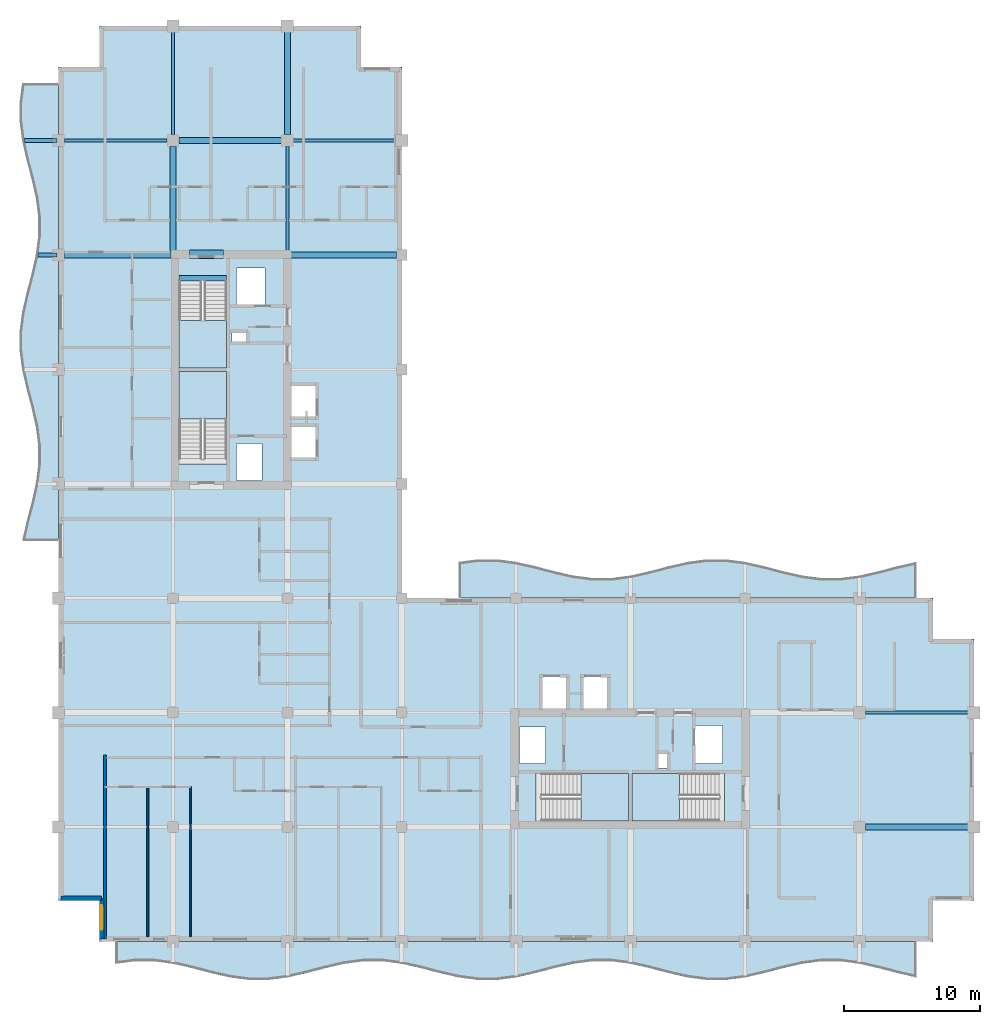
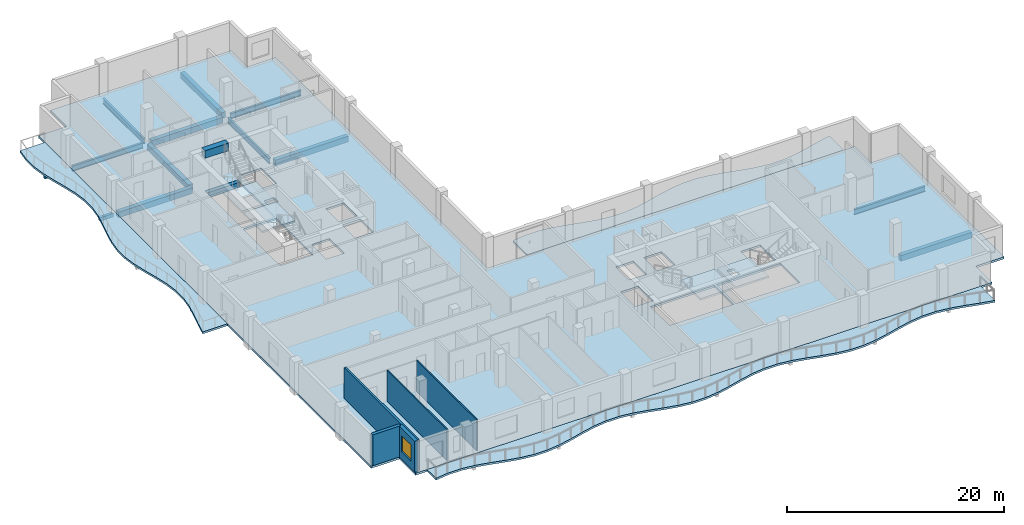
# One storey, part 2 of 12: 15 beams, 8 slabs, 5 walls, 1 window, 1 opening, 4 elements without a shape of their own.
"""IFC4 building model written with IfcOpenShell, lengths in metres."""

from ifc_helpers import new_model, si_unit, direction, frame, frame_2d, origin, origin_2d, place, context, subcontext, project, spatial, polyline, rectangle, i_section, outline, extrude, material, layer, layer_set, material_profile, profile_set, type_object, element, fill, aggregate, save


model = new_model("IFC4")

# Units and contexts
model_context = context("Model", 3, precision=1e-05, world=origin(), true_north=direction((0.0, 1.0)))
body_context = subcontext(model_context, "Body", "Model", "MODEL_VIEW")
ifc_project = project(units=[si_unit("LENGTHUNIT", "METRE"), si_unit("AREAUNIT", "SQUARE_METRE"), si_unit("VOLUMEUNIT", "CUBIC_METRE"), si_unit("PLANEANGLEUNIT", "RADIAN"), si_unit("MASSUNIT", "GRAM", prefix="KILO")], contexts=[model_context])

# Site, building, storey
site_placement = place(None, origin())
site = spatial("IfcSite", under=ifc_project, at=site_placement, CompositionType="ELEMENT")
building_placement = place(site_placement, origin())
building = spatial("IfcBuilding", under=site, at=building_placement, Name="Koriwani Terraces Tower", CompositionType="ELEMENT")
storey_placement = place(building_placement, frame((0.0, 0.0, 256.39990234375)))
storey = spatial("IfcBuildingStorey", under=building, at=storey_placement, Name="L63", CompositionType="ELEMENT", Elevation=256.39990234375)

# Beams
ifc_material_1 = material(Name="Concrete C40/50", Category="concrete")
ifc_material_profile_1 = material_profile(ifc_material_1, rectangle(XDim=0.300048828125, YDim=0.39990234375, at=origin_2d()), Name="Concrete C40/50", Category="LoadBearing")
ifc_profile_set_1 = profile_set([ifc_material_profile_1], Name="Concrete C40/50")
beam_type_1 = type_object("IfcBeamType", Name="BEAM_RC_BALCONY_RIB_300X400", PredefinedType="JOIST", material=ifc_profile_set_1)
beam_1_placement = place(storey_placement, frame((6.912109375, 58.800048828125, -0.429931640625), z_axis=(1.0, 0.0, 0.0), x_axis=(0.0, 1.0, 0.0)))
element("IfcBeam", 1, at=beam_1_placement, inside=storey, type_object=beam_type_1, Name="L63 Balcony Bracket Rib W-3", PredefinedType="JOIST", context=body_context, shape_type="SweptSolid", body=[
    extrude(rectangle(XDim=0.300048828125, YDim=0.39990234375, at=origin_2d()), origin(), (0.0, 0.0, 1.0), 1.387939453125),
])
beam_2_placement = place(storey_placement, frame((5.907958984375, 67.199951171875, -0.429931640625), z_axis=(1.0, 0.0, 0.0), x_axis=(0.0, 1.0, 0.0)))
element("IfcBeam", 2, at=beam_2_placement, inside=storey, type_object=beam_type_1, Name="L63 Balcony Bracket Rib W-4", PredefinedType="JOIST", context=body_context, shape_type="SweptSolid", body=[
    extrude(rectangle(XDim=0.300048828125, YDim=0.39990234375, at=origin_2d()), origin(), (0.0, 0.0, 1.0), 2.39208984375),
])
ifc_material_2 = material(Name="Concrete C50/60", Category="concrete")
ifc_material_profile_2 = material_profile(ifc_material_2, rectangle(XDim=0.60009765625, YDim=0.85009765625, at=origin_2d()), Name="Concrete C50/60", Category="LoadBearing")
ifc_profile_set_2 = profile_set([ifc_material_profile_2], Name="Concrete C50/60")
beam_type_2 = type_object("IfcBeamType", Name="BEAM_RC_COUPLING_600X850", PredefinedType="LINTEL", material=ifc_profile_set_2)
beam_3_placement = place(storey_placement, frame((18.0, 58.85009765625, 3.045166015625), z_axis=(1.0, 0.0, 0.0), x_axis=(0.0, 1.0, 0.0)))
element("IfcBeam", 3, at=beam_3_placement, inside=storey, type_object=beam_type_2, Name="L63 Core Coupling Lintel Beam WN", PredefinedType="LINTEL", context=body_context, shape_type="SweptSolid", body=[
    extrude(rectangle(XDim=0.60009765625, YDim=0.85009765625, at=origin_2d()), origin(), (0.0, 0.0, 1.0), 2.5),
])
ifc_material_profile_3 = material_profile(ifc_material_1, rectangle(XDim=0.39990234375, YDim=0.60009765625, at=origin_2d()), Name="Concrete C40/50", Category="LoadBearing")
ifc_profile_set_3 = profile_set([ifc_material_profile_3], Name="Concrete C40/50")
beam_type_3 = type_object("IfcBeamType", Name="BEAM_RC_GRID_400X600", PredefinedType="BEAM", material=ifc_profile_set_3)
beam_4_placement = place(storey_placement, frame((17.25, 57.094970703125, -0.2998046875), z_axis=(1.0, 0.0, 0.0), x_axis=(0.0, 1.0, 0.0)))
element("IfcBeam", 4, at=beam_4_placement, inside=storey, type_object=beam_type_3, Name="L63 Stairwell Header Trimmer Beam ST-W2", PredefinedType="BEAM", context=body_context, shape_type="SweptSolid", body=[
    extrude(rectangle(XDim=0.39990234375, YDim=0.60009765625, at=origin_2d()), origin(), (0.0, 0.0, 1.0), 3.5),
])
ifc_material_profile_4 = material_profile(ifc_material_2, rectangle(XDim=0.449951171875, YDim=0.64990234375, at=origin_2d()), Name="Concrete C50/60", Category="LoadBearing")
ifc_profile_set_4 = profile_set([ifc_material_profile_4], Name="Concrete C50/60")
beam_type_4 = type_object("IfcBeamType", Name="BEAM_RC_GRID_450X650", PredefinedType="BEAM", material=ifc_profile_set_4)
beam_5_placement = place(storey_placement, frame((67.6298828125, 16.800048828125, -0.554931640625), z_axis=(1.0, 0.0, 0.0), x_axis=(0.0, 1.0, 0.0)))
element("IfcBeam", 5, at=beam_5_placement, inside=storey, type_object=beam_type_4, Name="L63 Grid Beam C (67.2-75.6m)", PredefinedType="BEAM", context=body_context, shape_type="SweptSolid", body=[
    extrude(rectangle(XDim=0.449951171875, YDim=0.64990234375, at=origin_2d()), origin(), (0.0, 0.0, 1.0), 7.5400390625),
])
beam_6_placement = place(storey_placement, frame((8.830078125, 58.800048828125, -0.554931640625), z_axis=(1.0, 0.0, 0.0), x_axis=(0.0, 1.0, 0.0)))
element("IfcBeam", 6, at=beam_6_placement, inside=storey, type_object=beam_type_4, Name="L63 Grid Beam H (8.4-16.8m)", PredefinedType="BEAM", context=body_context, shape_type="SweptSolid", body=[
    extrude(rectangle(XDim=0.449951171875, YDim=0.64990234375, at=origin_2d()), origin(), (0.0, 0.0, 1.0), 7.83984375),
])
beam_7_placement = place(storey_placement, frame((25.47998046875, 58.800048828125, -0.554931640625), z_axis=(1.0, 0.0, 0.0), x_axis=(0.0, 1.0, 0.0)))
element("IfcBeam", 7, at=beam_7_placement, inside=storey, type_object=beam_type_4, Name="L63 Grid Beam H (25.2-33.6m)", PredefinedType="BEAM", context=body_context, shape_type="SweptSolid", body=[
    extrude(rectangle(XDim=0.449951171875, YDim=0.64990234375, at=origin_2d()), origin(), (0.0, 0.0, 1.0), 7.739990234375),
])
beam_8_placement = place(storey_placement, frame((17.22998046875, 67.199951171875, -0.554931640625), z_axis=(1.0, 0.0, 0.0), x_axis=(0.0, 1.0, 0.0)))
element("IfcBeam", 8, at=beam_8_placement, inside=storey, type_object=beam_type_4, Name="L63 Grid Beam I (16.8-25.2m)", PredefinedType="BEAM", context=body_context, shape_type="SweptSolid", body=[
    extrude(rectangle(XDim=0.449951171875, YDim=0.64990234375, at=origin_2d()), origin(), (0.0, 0.0, 1.0), 7.5400390625),
])
beam_9_placement = place(storey_placement, frame((16.800048828125, 59.1298828125, -0.554931640625), z_axis=(0.0, 1.0, 0.0), x_axis=(-1.0, 0.0, 0.0)))
element("IfcBeam", 9, at=beam_9_placement, inside=storey, type_object=beam_type_4, Name="L63 Grid Beam 3 (58.8-67.2m)", PredefinedType="BEAM", context=body_context, shape_type="SweptSolid", body=[
    extrude(rectangle(XDim=0.449951171875, YDim=0.64990234375, at=origin_2d()), origin(), (0.0, 0.0, 1.0), 7.64013671875),
])
beam_10_placement = place(storey_placement, frame((25.199951171875, 67.6298828125, -0.554931640625), z_axis=(0.0, 1.0, 0.0), x_axis=(-1.0, 0.0, 0.0)))
element("IfcBeam", 10, at=beam_10_placement, inside=storey, type_object=beam_type_4, Name="L63 Grid Beam 4 (67.2-75.6m)", PredefinedType="BEAM", context=body_context, shape_type="SweptSolid", body=[
    extrude(rectangle(XDim=0.449951171875, YDim=0.64990234375, at=origin_2d()), origin(), (0.0, 0.0, 1.0), 7.5400390625),
])
ifc_material_3 = material(Name="Steel ASTM A572 Grade 50", Category="steel")
ifc_material_profile_5 = material_profile(ifc_material_3, i_section(OverallWidth=0.22900390625, OverallDepth=0.611083984375, WebThickness=0.0126953125, FlangeThickness=0.022216796875, at=origin_2d()), Name="Steel ASTM A572 Grade 50", Category="LoadBearing")
ifc_profile_set_5 = profile_set([ifc_material_profile_5], Name="Steel ASTM A572 Grade 50")
beam_type_5 = type_object("IfcBeamType", Name="STEEL_BEAM_W610X155", PredefinedType="BEAM", material=ifc_profile_set_5)
for number, where, z_axis, x_axis, name in (
    (11, (67.6298828125, 25.199951171875, -0.535400390625), (1.0, 0.0, 0.0), (0.0, 1.0, 0.0), "L63 Grid Beam D (67.2-75.6m)"),
    (12, (8.830078125, 67.199951171875, -0.535400390625), (1.0, 0.0, 0.0), (0.0, 1.0, 0.0), "L63 Grid Beam I (8.4-16.8m)"),
    (13, (25.6298828125, 67.199951171875, -0.535400390625), (1.0, 0.0, 0.0), (0.0, 1.0, 0.0), "L63 Grid Beam I (25.2-33.6m)"),
    (14, (16.800048828125, 67.6298828125, -0.535400390625), (0.0, 1.0, 0.0), (-1.0, 0.0, 0.0), "L63 Grid Beam 3 (67.2-75.6m)"),
):
    element("IfcBeam", number, at=place(storey_placement, frame(where, z_axis=z_axis, x_axis=x_axis)), inside=storey, type_object=beam_type_5, Name=name, PredefinedType="BEAM", context=body_context, shape_type="SweptSolid", body=[
        extrude(i_section(OverallWidth=0.22900390625, OverallDepth=0.611083984375, WebThickness=0.0126953125, FlangeThickness=0.022216796875, at=origin_2d()), origin(), (0.0, 0.0, 1.0), 7.5400390625),
    ])
beam_11_placement = place(storey_placement, frame((25.199951171875, 59.1298828125, -0.535400390625), z_axis=(0.0, 1.0, 0.0), x_axis=(-1.0, 0.0, 0.0)))
element("IfcBeam", 15, at=beam_11_placement, inside=storey, type_object=beam_type_5, Name="L63 Grid Beam 4 (58.8-67.2m)", PredefinedType="BEAM", context=body_context, shape_type="SweptSolid", body=[
    extrude(i_section(OverallWidth=0.22900390625, OverallDepth=0.611083984375, WebThickness=0.0126953125, FlangeThickness=0.022216796875, at=origin_2d()), origin(), (0.0, 0.0, 1.0), 7.64013671875),
])

# Slabs
ifc_layer_1 = layer(ifc_material_1, 0.219970703125, Name="Concrete C40/50")
ifc_layer_set_1 = layer_set([ifc_layer_1], Name="Concrete C40/50")
slab_type_1 = type_object("IfcSlabType", Name="SLAB_BALCONY_220", PredefinedType="FLOOR", material=ifc_layer_set_1)
slab_1_placement = place(storey_placement, frame((0.0, 0.0, -0.219970703125)))
element("IfcSlab", 16, at=slab_1_placement, inside=storey, type_object=slab_type_1, Name="L63 Quilted Circular-Arc Balcony (S)", PredefinedType="FLOOR", context=body_context, shape_type="SweptSolid", body=[
    extrude(outline(polyline([(12.60009765625, 8.39990234375), (14.0, 8.39990234375), (15.39990234375, 8.39990234375), (16.800048828125, 8.39990234375), (18.199951171875, 8.39990234375), (19.60009765625, 8.39990234375), (21.0, 8.39990234375), (22.39990234375, 8.39990234375), (23.800048828125, 8.39990234375), (25.199951171875, 8.39990234375), (26.60009765625, 8.39990234375), (28.0, 8.39990234375), (29.39990234375, 8.39990234375), (30.800048828125, 8.39990234375), (32.199951171875, 8.39990234375), (33.60009765625, 8.39990234375), (35.0, 8.39990234375), (36.39990234375, 8.39990234375), (37.800048828125, 8.39990234375), (39.199951171875, 8.39990234375), (40.60009765625, 8.39990234375), (42.0, 8.39990234375), (43.39990234375, 8.39990234375), (44.800048828125, 8.39990234375), (46.199951171875, 8.39990234375), (47.60009765625, 8.39990234375), (49.0, 8.39990234375), (50.39990234375, 8.39990234375), (51.800048828125, 8.39990234375), (53.199951171875, 8.39990234375), (54.60009765625, 8.39990234375), (56.0, 8.39990234375), (57.39990234375, 8.39990234375), (58.800048828125, 8.39990234375), (60.199951171875, 8.39990234375), (61.60009765625, 8.39990234375), (63.0, 8.39990234375), (64.39990234375, 8.39990234375), (65.800048828125, 8.39990234375), (67.199951171875, 8.39990234375), (68.60009765625, 8.39990234375), (70.0, 8.39990234375), (71.39990234375, 8.39990234375), (71.39990234375, 5.758056640625), (70.0, 6.076171875), (68.60009765625, 6.44384765625), (67.199951171875, 6.761962890625), (65.800048828125, 6.94580078125), (64.39990234375, 6.94580078125), (63.0, 6.761962890625), (61.60009765625, 6.44384765625), (60.199951171875, 6.076171875), (58.800048828125, 5.758056640625), (57.39990234375, 5.57421875), (56.0, 5.57421875), (54.60009765625, 5.758056640625), (53.199951171875, 6.076171875), (51.800048828125, 6.44384765625), (50.39990234375, 6.761962890625), (49.0, 6.94580078125), (47.60009765625, 6.94580078125), (46.199951171875, 6.761962890625), (44.800048828125, 6.44384765625), (43.39990234375, 6.076171875), (42.0, 5.758056640625), (40.60009765625, 5.57421875), (39.199951171875, 5.57421875), (37.800048828125, 5.758056640625), (36.39990234375, 6.076171875), (35.0, 6.44384765625), (33.60009765625, 6.761962890625), (32.199951171875, 6.94580078125), (30.800048828125, 6.94580078125), (29.39990234375, 6.761962890625), (28.0, 6.44384765625), (26.60009765625, 6.076171875), (25.199951171875, 5.758056640625), (23.800048828125, 5.57421875), (22.39990234375, 5.57421875), (21.0, 5.758056640625), (19.60009765625, 6.076171875), (18.199951171875, 6.44384765625), (16.800048828125, 6.761962890625), (15.39990234375, 6.94580078125), (14.0, 6.94580078125), (12.60009765625, 6.761962890625), (12.60009765625, 8.39990234375)])), origin(), (0.0, 0.0, 1.0), 0.219970703125),
])
slab_2_placement = place(storey_placement, frame((0.0, 0.0, -0.219970703125)))
element("IfcSlab", 17, at=slab_2_placement, inside=storey, type_object=slab_type_1, Name="L63 Quilted Circular-Arc Balcony (W)", PredefinedType="FLOOR", context=body_context, shape_type="SweptSolid", body=[
    extrude(outline(polyline([(8.39990234375, 37.800048828125), (8.39990234375, 39.199951171875), (8.39990234375, 40.60009765625), (8.39990234375, 42.0), (8.39990234375, 43.39990234375), (8.39990234375, 44.800048828125), (8.39990234375, 46.199951171875), (8.39990234375, 47.60009765625), (8.39990234375, 49.0), (8.39990234375, 50.39990234375), (8.39990234375, 51.800048828125), (8.39990234375, 53.199951171875), (8.39990234375, 54.60009765625), (8.39990234375, 56.0), (8.39990234375, 57.39990234375), (8.39990234375, 58.800048828125), (8.39990234375, 60.199951171875), (8.39990234375, 61.60009765625), (8.39990234375, 63.0), (8.39990234375, 64.39990234375), (8.39990234375, 65.800048828125), (8.39990234375, 67.199951171875), (8.39990234375, 68.60009765625), (8.39990234375, 70.0), (8.39990234375, 71.39990234375), (5.758056640625, 71.39990234375), (5.57421875, 70.0), (5.57421875, 68.60009765625), (5.758056640625, 67.199951171875), (6.076171875, 65.800048828125), (6.44384765625, 64.39990234375), (6.761962890625, 63.0), (6.94580078125, 61.60009765625), (6.94580078125, 60.199951171875), (6.761962890625, 58.800048828125), (6.44384765625, 57.39990234375), (6.076171875, 56.0), (5.758056640625, 54.60009765625), (5.57421875, 53.199951171875), (5.57421875, 51.800048828125), (5.758056640625, 50.39990234375), (6.076171875, 49.0), (6.44384765625, 47.60009765625), (6.761962890625, 46.199951171875), (6.94580078125, 44.800048828125), (6.94580078125, 43.39990234375), (6.761962890625, 42.0), (6.44384765625, 40.60009765625), (6.076171875, 39.199951171875), (5.758056640625, 37.800048828125), (8.39990234375, 37.800048828125)])), origin(), (0.0, 0.0, 1.0), 0.219970703125),
])
slab_3_placement = place(storey_placement, frame((0.0, 0.0, -0.219970703125)))
element("IfcSlab", 18, at=slab_3_placement, inside=storey, type_object=slab_type_1, Name="L63 Quilted Circular-Arc Balcony (NE)", PredefinedType="FLOOR", context=body_context, shape_type="SweptSolid", body=[
    extrude(outline(polyline([(71.39990234375, 33.60009765625), (70.0, 33.60009765625), (68.60009765625, 33.60009765625), (67.199951171875, 33.60009765625), (65.800048828125, 33.60009765625), (64.39990234375, 33.60009765625), (63.0, 33.60009765625), (61.60009765625, 33.60009765625), (60.199951171875, 33.60009765625), (58.800048828125, 33.60009765625), (57.39990234375, 33.60009765625), (56.0, 33.60009765625), (54.60009765625, 33.60009765625), (53.199951171875, 33.60009765625), (51.800048828125, 33.60009765625), (50.39990234375, 33.60009765625), (49.0, 33.60009765625), (47.60009765625, 33.60009765625), (46.199951171875, 33.60009765625), (44.800048828125, 33.60009765625), (43.39990234375, 33.60009765625), (42.0, 33.60009765625), (40.60009765625, 33.60009765625), (39.199951171875, 33.60009765625), (37.800048828125, 33.60009765625), (37.800048828125, 36.241943359375), (39.199951171875, 36.42578125), (40.60009765625, 36.42578125), (42.0, 36.241943359375), (43.39990234375, 35.923828125), (44.800048828125, 35.55615234375), (46.199951171875, 35.238037109375), (47.60009765625, 35.05419921875), (49.0, 35.05419921875), (50.39990234375, 35.238037109375), (51.800048828125, 35.55615234375), (53.199951171875, 35.923828125), (54.60009765625, 36.241943359375), (56.0, 36.42578125), (57.39990234375, 36.42578125), (58.800048828125, 36.241943359375), (60.199951171875, 35.923828125), (61.60009765625, 35.55615234375), (63.0, 35.238037109375), (64.39990234375, 35.05419921875), (65.800048828125, 35.05419921875), (67.199951171875, 35.238037109375), (68.60009765625, 35.55615234375), (70.0, 35.923828125), (71.39990234375, 36.241943359375), (71.39990234375, 33.60009765625)])), origin(), (0.0, 0.0, 1.0), 0.219970703125),
])
ifc_layer_2 = layer(ifc_material_1, 0.22998046875, Name="Concrete C40/50")
ifc_layer_set_2 = layer_set([ifc_layer_2], Name="Concrete C40/50")
slab_type_2 = type_object("IfcSlabType", Name="SLAB_RES_TYP_230", PredefinedType="FLOOR", material=ifc_layer_set_2)
slab_4_placement = place(storey_placement, frame((0.0, 0.0, -0.22998046875)))
element("IfcSlab", 19, at=slab_4_placement, inside=storey, type_object=slab_type_2, Name="L63 Structural Floor Slab", PredefinedType="FLOOR", context=body_context, shape_type="SweptSolid", body=[
    extrude(outline(polyline([(11.39990234375, 8.39990234375), (72.60009765625, 8.39990234375), (72.60009765625, 11.39990234375), (75.60009765625, 11.39990234375), (75.60009765625, 30.60009765625), (72.60009765625, 30.60009765625), (72.60009765625, 33.60009765625), (33.60009765625, 33.60009765625), (33.60009765625, 72.60009765625), (30.60009765625, 72.60009765625), (30.60009765625, 75.60009765625), (11.39990234375, 75.60009765625), (11.39990234375, 72.60009765625), (8.39990234375, 72.60009765625), (8.39990234375, 11.39990234375), (11.39990234375, 11.39990234375), (11.39990234375, 8.39990234375)]), holes=[polyline([(17.25, 43.4599609375), (20.75, 43.4599609375), (20.75, 50.25), (17.25, 50.25), (17.25, 43.4599609375)]), polyline([(17.25, 50.5), (20.75, 50.5), (20.75, 57.2900390625), (17.25, 57.2900390625), (17.25, 50.5)]), polyline([(43.4599609375, 17.25), (50.25, 17.25), (50.25, 20.75), (43.4599609375, 20.75), (43.4599609375, 17.25)]), polyline([(50.5, 17.25), (57.2900390625, 17.25), (57.2900390625, 20.75), (50.5, 20.75), (50.5, 17.25)]), polyline([(25.449951171875, 43.85009765625), (27.35009765625, 43.85009765625), (27.35009765625, 46.25), (25.449951171875, 46.25), (25.449951171875, 43.85009765625)]), polyline([(25.449951171875, 46.85009765625), (27.35009765625, 46.85009765625), (27.35009765625, 49.25), (25.449951171875, 49.25), (25.449951171875, 46.85009765625)]), polyline([(43.85009765625, 25.449951171875), (45.75, 25.449951171875), (45.75, 27.85009765625), (43.85009765625, 27.85009765625), (43.85009765625, 25.449951171875)]), polyline([(46.85009765625, 25.449951171875), (48.75, 25.449951171875), (48.75, 27.85009765625), (46.85009765625, 27.85009765625), (46.85009765625, 25.449951171875)]), polyline([(21.449951171875, 55.050048828125), (23.550048828125, 55.050048828125), (23.550048828125, 57.85009765625), (21.449951171875, 57.85009765625), (21.449951171875, 55.050048828125)]), polyline([(55.050048828125, 21.449951171875), (57.14990234375, 21.449951171875), (57.14990234375, 24.25), (55.050048828125, 24.25), (55.050048828125, 21.449951171875)]), polyline([(21.449951171875, 42.25), (23.35009765625, 42.25), (23.35009765625, 44.949951171875), (21.449951171875, 44.949951171875), (21.449951171875, 42.25)]), polyline([(42.25, 21.449951171875), (44.14990234375, 21.449951171875), (44.14990234375, 24.14990234375), (42.25, 24.14990234375), (42.25, 21.449951171875)]), polyline([(21.14990234375, 52.419921875), (22.219970703125, 52.419921875), (22.219970703125, 53.179931640625), (21.14990234375, 53.179931640625), (21.14990234375, 52.419921875)]), polyline([(52.419921875, 21.14990234375), (53.179931640625, 21.14990234375), (53.179931640625, 22.219970703125), (52.419921875, 22.219970703125), (52.419921875, 21.14990234375)])]), origin(), (0.0, 0.0, 1.0), 0.22998046875),
])

# Stair, slab
stair_type = type_object("IfcStairType", Name="STAIR_CORE_DOGLEG_1650", PredefinedType="TWO_STRAIGHT_RUN_STAIR", material=ifc_material_1)
stair_1_placement = place(storey_placement, origin())
stair_1 = element("IfcStair", 20, at=stair_1_placement, inside=storey, type_object=stair_type, Name="L63 West Core Exit Stair 1", PredefinedType="HALF_TURN_STAIR")
ifc_layer_3 = layer(ifc_material_1, 0.199951171875, Name="Concrete C40/50")
ifc_layer_set_3 = layer_set([ifc_layer_3], Name="Concrete C40/50")
slab_type_3 = type_object("IfcSlabType", Name="SLAB_STAIR_LANDING_200", PredefinedType="LANDING", material=ifc_layer_set_3)
slab_5_placement = place(storey_placement, frame((0.0, 0.0, 1.650146484375)))
slab_5 = element("IfcSlab", 21, at=slab_5_placement, type_object=slab_type_3, Name="ST-W1 landing 1", PredefinedType="LANDING", context=body_context, shape_type="SweptSolid", body=[
    extrude(outline(polyline([(20.75, 46.75), (20.75, 50.25), (17.25, 50.25), (17.25, 46.75), (20.75, 46.75)])), origin(), (0.0, 0.0, 1.0), 0.199951171875),
])
aggregate(stair_1, [slab_5])

stair_2_placement = place(storey_placement, origin())
stair_2 = element("IfcStair", 22, at=stair_2_placement, inside=storey, type_object=stair_type, Name="L63 West Core Exit Stair 2", PredefinedType="HALF_TURN_STAIR")
slab_6_placement = place(storey_placement, frame((0.0, 0.0, 1.650146484375)))
slab_6 = element("IfcSlab", 23, at=slab_6_placement, type_object=slab_type_3, Name="ST-W2 landing 1", PredefinedType="LANDING", context=body_context, shape_type="SweptSolid", body=[
    extrude(outline(polyline([(17.25, 54.0), (17.25, 50.5), (20.75, 50.5), (20.75, 54.0), (17.25, 54.0)])), origin(), (0.0, 0.0, 1.0), 0.199951171875),
])
aggregate(stair_2, [slab_6])

stair_3_placement = place(storey_placement, origin())
stair_3 = element("IfcStair", 24, at=stair_3_placement, inside=storey, type_object=stair_type, Name="L63 East Core Exit Stair 1", PredefinedType="HALF_TURN_STAIR")
slab_7_placement = place(storey_placement, frame((0.0, 0.0, 1.650146484375)))
slab_7 = element("IfcSlab", 25, at=slab_7_placement, type_object=slab_type_3, Name="ST-E1 landing 1", PredefinedType="LANDING", context=body_context, shape_type="SweptSolid", body=[
    extrude(outline(polyline([(46.75, 17.25), (50.25, 17.25), (50.25, 20.75), (46.75, 20.75), (46.75, 17.25)])), origin(), (0.0, 0.0, 1.0), 0.199951171875),
])
aggregate(stair_3, [slab_7])

stair_4_placement = place(storey_placement, origin())
stair_4 = element("IfcStair", 26, at=stair_4_placement, inside=storey, type_object=stair_type, Name="L63 East Core Exit Stair 2", PredefinedType="HALF_TURN_STAIR")
slab_8_placement = place(storey_placement, frame((0.0, 0.0, 1.650146484375)))
slab_8 = element("IfcSlab", 27, at=slab_8_placement, type_object=slab_type_3, Name="ST-E2 landing 1", PredefinedType="LANDING", context=body_context, shape_type="SweptSolid", body=[
    extrude(outline(polyline([(54.0, 20.75), (50.5, 20.75), (50.5, 17.25), (54.0, 17.25), (54.0, 20.75)])), origin(), (0.0, 0.0, 1.0), 0.199951171875),
])
aggregate(stair_4, [slab_8])

# Wall
ifc_material_4 = material(Name="Autoclaved Cellular Concrete Blockwork", Category="masonry")
ifc_layer_4 = layer(ifc_material_4, 0.219970703125, Name="Autoclaved Cellular Concrete Blockwork")
ifc_layer_set_4 = layer_set([ifc_layer_4], Name="Autoclaved Cellular Concrete Blockwork")
wall_type_1 = type_object("IfcWallType", Name="WALL_DEMISING_220", PredefinedType="PARTITIONING", material=ifc_layer_set_4)
wall_1_placement = place(storey_placement, frame((11.800048828125, 8.60009765625, 0.0), z_axis=(0.0, 0.0, 1.0), x_axis=(0.0, 1.0, 0.0)))
element("IfcWall", 28, at=wall_1_placement, inside=storey, type_object=wall_type_1, Name="L63 Interior Wall WRDEM-L63-SW-0", PredefinedType="PARTITIONING", context=body_context, shape_type="SweptSolid", body=[
    extrude(rectangle(XDim=13.47998046875, YDim=0.219970703125, at=frame_2d((6.739990234375, 0.0))), origin(), (0.0, 0.0, 1.0), 3.47021484375),
])

# Wall, opening, window
ifc_layer_5 = layer(ifc_material_2, 0.35009765625, Name="Concrete C50/60")
ifc_layer_set_5 = layer_set([ifc_layer_5], Name="Concrete C50/60")
wall_type_2 = type_object("IfcWallType", Name="WALL_EXT_BRUTALIST_350", PredefinedType="STANDARD", material=ifc_layer_set_5)
wall_2_placement = place(storey_placement, frame((11.574951171875, 8.574951171875, 0.0), z_axis=(0.0, 0.0, 1.0), x_axis=(0.0, 1.0, 0.0)))
wall_2 = element("IfcWall", 29, at=wall_2_placement, inside=storey, type_object=wall_type_2, Name="L63 Fair-Faced Brutalist Exterior Wall (N0)", PredefinedType="STANDARD", context=body_context, shape_type="SweptSolid", body=[
    extrude(rectangle(XDim=3.0, YDim=0.35009765625, at=frame_2d((1.5, 0.0))), origin(), (0.0, 0.0, 1.0), 3.47021484375),
])
opening_placement = place(wall_2_placement, frame((0.677490234375, 0.0, 0.85009765625)))
opening = element("IfcOpeningElement", 30, at=opening_placement, cuts=wall_2, Name="Opening W-04", PredefinedType="OPENING", context=body_context, shape_type="SweptSolid", body=[
    extrude(rectangle(XDim=1.800048828125, YDim=1.800048828125, at=frame_2d((0.89990234375, 0.89990234375))), frame((0.0, 0.18505859375, 0.0), z_axis=(0.0, -1.0, 0.0), x_axis=(1.0, 0.0, 0.0)), (0.0, 0.0, 1.0), 0.3701171875),
])
ifc_material_5 = material(Name="Tempered Laminated Low-E Glass", Category="glass")
window_type = type_object("IfcWindowType", Name="WIN_RES_BED_1800X1800", PartitioningType="DOUBLE_PANEL_VERTICAL", PredefinedType="WINDOW", material=ifc_material_5)
window_placement = place(opening_placement, origin())
window = element("IfcWindow", 31, at=window_placement, inside=storey, type_object=window_type, Name="L63 Exterior Window (N0-R32)", OverallHeight=1.800048828125, OverallWidth=1.800048828125, PartitioningType="SINGLE_PANEL", PredefinedType="WINDOW", context=body_context, shape_type="SweptSolid", body=[
    extrude(rectangle(XDim=1.800048828125, YDim=1.800048828125, at=frame_2d((0.89990234375, 0.89990234375))), frame((0.0, 0.030029296875, 0.0), z_axis=(0.0, -1.0, 0.0), x_axis=(1.0, 0.0, 0.0)), (0.0, 0.0, 1.0), 0.06005859375),
])
fill(opening, window)

# Walls
wall_3_placement = place(storey_placement, frame((11.574951171875, 11.574951171875, 0.0), z_axis=(0.0, 0.0, 1.0), x_axis=(-1.0, 0.0, 0.0)))
element("IfcWall", 32, at=wall_3_placement, inside=storey, type_object=wall_type_2, Name="L63 Fair-Faced Brutalist Exterior Wall (N1)", PredefinedType="STANDARD", context=body_context, shape_type="SweptSolid", body=[
    extrude(rectangle(XDim=3.0, YDim=0.35009765625, at=frame_2d((1.5, 0.0))), origin(), (0.0, 0.0, 1.0), 3.47021484375),
])
ifc_material_6 = material(Name="Fire-Rated Acoustic Gypsum Partition", Category="masonry")
ifc_layer_6 = layer(ifc_material_6, 0.125, Name="Fire-Rated Acoustic Gypsum Partition")
ifc_layer_set_6 = layer_set([ifc_layer_6], Name="Fire-Rated Acoustic Gypsum Partition")
wall_type_3 = type_object("IfcWallType", Name="WALL_INT_125", PredefinedType="PARTITIONING", material=ifc_layer_set_6)
for number, where, z_axis, x_axis, name in (
    (33, (14.949951171875, 8.75, 0.0), (0.0, 0.0, 1.0), (0.0, 1.0, 0.0), "L63 Interior Wall WRB12-L63-SW-0"),
    (34, (18.10009765625, 8.75, 0.0), (0.0, 0.0, 1.0), (0.0, 1.0, 0.0), "L63 Interior Wall WRB2L-L63-SW-0"),
):
    element("IfcWall", number, at=place(storey_placement, frame(where, z_axis=z_axis, x_axis=x_axis)), inside=storey, type_object=wall_type_3, Name=name, PredefinedType="PARTITIONING", context=body_context, shape_type="SweptSolid", body=[
        extrude(rectangle(XDim=11.0, YDim=0.125, at=frame_2d((5.5, 0.0))), origin(), (0.0, 0.0, 1.0), 3.47021484375),
    ])

save(model, "model.ifc")
